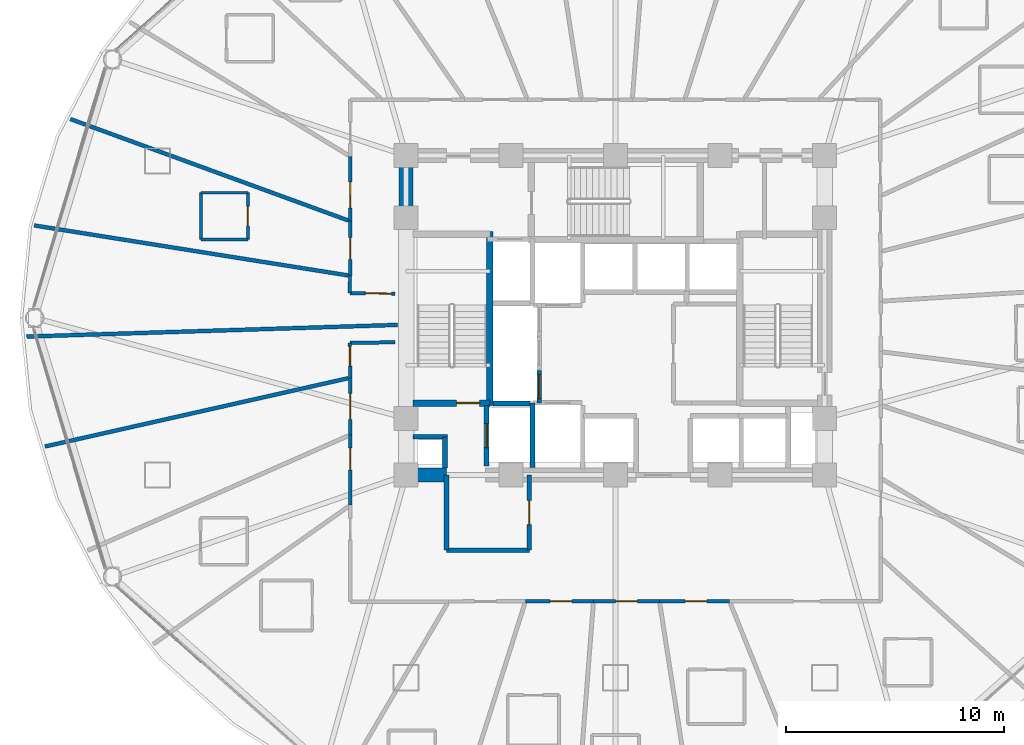
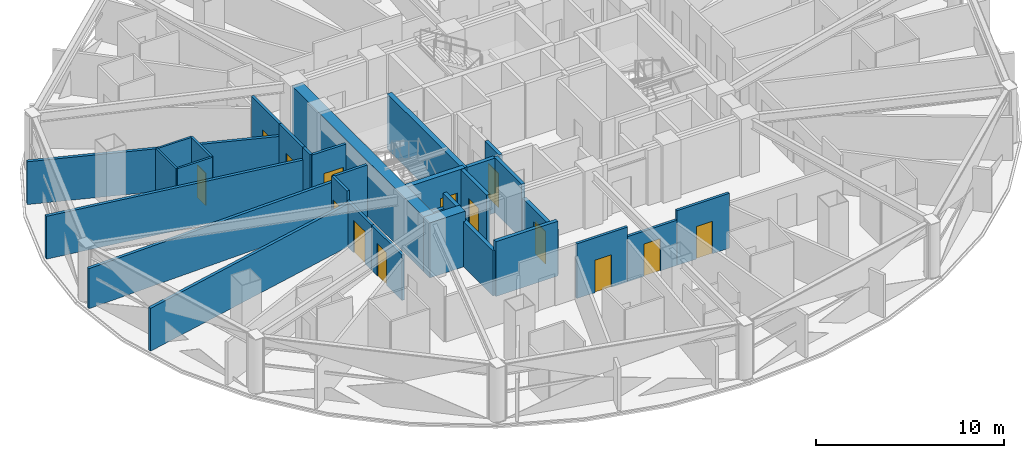
# One storey, part 24 of 32: 32 walls, 14 doors, 14 openings.
"""IFC4 building model written with IfcOpenShell, lengths in metres."""

from ifc_helpers import new_model, si_unit, direction, frame, frame_2d, origin, place, context, subcontext, project, spatial, rectangle, extrude, material, layer, layer_set, type_object, element, fill, save


model = new_model("IFC4")

# Units and contexts
model_context = context("Model", 3, precision=1e-05, world=origin(), true_north=direction((0.0, 1.0)))
body_context = subcontext(model_context, "Body", "Model", "MODEL_VIEW")
ifc_project = project(units=[si_unit("LENGTHUNIT", "METRE"), si_unit("AREAUNIT", "SQUARE_METRE"), si_unit("VOLUMEUNIT", "CUBIC_METRE"), si_unit("PLANEANGLEUNIT", "RADIAN"), si_unit("MASSUNIT", "GRAM", prefix="KILO")], contexts=[model_context])

# Site, building, storey
site_placement = place(None, origin())
site = spatial("IfcSite", under=ifc_project, at=site_placement, CompositionType="ELEMENT")
building_placement = place(site_placement, origin())
building = spatial("IfcBuilding", under=site, at=building_placement, Name="Vantalir Tower", CompositionType="ELEMENT")
storey_placement = place(building_placement, frame((0.0, 0.0, 45.75)))
storey = spatial("IfcBuildingStorey", under=building, at=storey_placement, Name="L10", CompositionType="ELEMENT", Elevation=45.75)

# Walls
ifc_material_1 = material(Name="Moisture-resistant en-suite partition", Category="gypsum")
ifc_layer_1 = layer(ifc_material_1, 0.125)
ifc_layer_set_1 = layer_set([ifc_layer_1], Name="Moisture-resistant en-suite partition")
wall_type_1 = type_object("IfcWallType", Name="WL-BATH-125", PredefinedType="PARTITIONING", material=ifc_layer_set_1)
for number, where, z_axis, x_axis, name in (
    (1, (12.491943359375, 28.596923828125, 0.0), (0.0, 0.0, 1.0), (1.0, 0.0, 0.0), "L10 En-suite 14 South Wall"),
    (2, (12.491943359375, 30.7470703125, 0.0), (0.0, 0.0, 1.0), (1.0, 0.0, 0.0), "L10 En-suite 14 North Wall"),
    (3, (12.491943359375, 28.596923828125, 0.0), (0.0, 0.0, 1.0), (0.0, 1.0, 0.0), "L10 En-suite 14 West Wall"),
):
    element("IfcWall", number, at=place(storey_placement, frame(where, z_axis=z_axis, x_axis=x_axis)), inside=storey, type_object=wall_type_1, Name=name, PredefinedType="PARTITIONING", context=body_context, shape_type="SweptSolid", body=[
        extrude(rectangle(XDim=2.150146484375, YDim=0.125, at=frame_2d((1.0751953125, 0.0))), origin(), (0.0, 0.0, 1.0), 3.550048828125),
    ])

# Wall, opening, door
wall_1_placement = place(storey_placement, frame((14.64208984375, 28.596923828125, 0.0), z_axis=(0.0, 0.0, 1.0), x_axis=(0.0, 1.0, 0.0)))
wall_1 = element("IfcWall", 4, at=wall_1_placement, inside=storey, type_object=wall_type_1, Name="L10 En-suite 14 East Wall", PredefinedType="PARTITIONING", context=body_context, shape_type="SweptSolid", body=[
    extrude(rectangle(XDim=2.150146484375, YDim=0.125, at=frame_2d((1.0751953125, 0.0))), origin(), (0.0, 0.0, 1.0), 3.550048828125),
])
opening_1_placement = place(wall_1_placement, frame((0.625, 0.0, 0.0)))
opening_1 = element("IfcOpeningElement", 5, at=opening_1_placement, cuts=wall_1, Name="Opening D-WC", PredefinedType="OPENING", context=body_context, shape_type="SweptSolid", body=[
    extrude(rectangle(XDim=0.89990234375, YDim=2.10009765625, at=frame_2d((0.449951171875, 1.050048828125))), frame((0.0, 0.072509765625, 0.0), z_axis=(0.0, -1.0, 0.0), x_axis=(1.0, 0.0, 0.0)), (0.0, 0.0, 1.0), 0.14501953125),
])
ifc_material_2 = material(Name="Moisture-resistant hardwood door", Category="wood")
door_type_1 = type_object("IfcDoorType", Name="DR-ENSUITE-900", OperationType="NOTDEFINED", PredefinedType="DOOR", material=ifc_material_2)
door_1_placement = place(opening_1_placement, origin())
door_1 = element("IfcDoor", 6, at=door_1_placement, inside=storey, type_object=door_type_1, Name="L10 En-suite 14 Door", OperationType="SINGLE_SWING_LEFT", OverallHeight=2.10009765625, OverallWidth=0.89990234375, PredefinedType="DOOR", context=body_context, shape_type="SweptSolid", body=[
    extrude(rectangle(XDim=0.89990234375, YDim=2.10009765625, at=frame_2d((0.449951171875, 1.050048828125))), frame((0.0, 0.02490234375, 0.0), z_axis=(0.0, -1.0, 0.0), x_axis=(1.0, 0.0, 0.0)), (0.0, 0.0, 1.0), 0.050048828125),
])
fill(opening_1, door_1)

# Walls
ifc_material_3 = material(Name="Concrete C60/75", Category="concrete")
ifc_layer_2 = layer(ifc_material_3, 0.64990234375)
ifc_layer_set_2 = layer_set([ifc_layer_2], Name="Concrete C60/75")
wall_type_2 = type_object("IfcWallType", Name="WL-CORE-650", PredefinedType="SHEAR", material=ifc_layer_set_2)
wall_2_placement = place(storey_placement, frame((21.574951171875, 17.800048828125, 0.0), z_axis=(0.0, 0.0, 1.0), x_axis=(1.0, 0.0, 0.0)))
element("IfcWall", 7, at=wall_2_placement, inside=storey, type_object=wall_type_2, Name="L10 Core Shear Wall South-West", PredefinedType="SHEAR", context=body_context, shape_type="SweptSolid", body=[
    extrude(rectangle(XDim=2.175048828125, YDim=0.64990234375, at=frame_2d((1.08740234375, 0.0))), origin(), (0.0, 0.0, 1.0), 3.570068359375),
])
wall_3_placement = place(storey_placement, frame((21.89990234375, 18.125, 0.0), z_axis=(0.0, 0.0, 1.0), x_axis=(0.0, 1.0, 0.0)))
element("IfcWall", 8, at=wall_3_placement, inside=storey, type_object=wall_type_2, Name="L10 Core Shear Wall West", PredefinedType="SHEAR", context=body_context, shape_type="SweptSolid", body=[
    extrude(rectangle(XDim=14.0, YDim=0.64990234375, at=frame_2d((7.0, 0.0))), origin(), (0.0, 0.0, 1.0), 3.570068359375),
])

# Wall, opening, door
ifc_material_4 = material(Name="Fire-rated hotel corridor acoustic partition", Category="gypsum")
ifc_layer_3 = layer(ifc_material_4, 0.159912109375)
ifc_layer_set_3 = layer_set([ifc_layer_3], Name="Fire-rated hotel corridor acoustic partition")
wall_type_3 = type_object("IfcWallType", Name="WL-CORR-160", PredefinedType="PARTITIONING", material=ifc_layer_set_3)
wall_4_placement = place(storey_placement, frame((21.39501953125, 26.117919921875, 0.0), z_axis=(0.0, 0.0, 1.0), x_axis=(-0.999931972005, 0.011664105718, 0.0)))
wall_4 = element("IfcWall", 9, at=wall_4_placement, inside=storey, type_object=wall_type_3, Name="L10 Corridor Partition 01", PredefinedType="PARTITIONING", context=body_context, shape_type="SweptSolid", body=[
    extrude(rectangle(XDim=2.072265625, YDim=0.159912109375, at=frame_2d((1.0361328125, 0.0))), origin(), (0.0, 0.0, 1.0), 3.550048828125),
])
opening_2_placement = place(wall_4_placement, frame((0.159912109375, 0.0, 0.0)))
opening_2 = element("IfcOpeningElement", 10, at=opening_2_placement, cuts=wall_4, Name="Opening D-STE", PredefinedType="OPENING", context=body_context, shape_type="SweptSolid", body=[
    extrude(rectangle(XDim=1.199951171875, YDim=2.10009765625, at=frame_2d((0.60009765625, 1.050048828125))), frame((0.0, 0.08984375, 0.0), z_axis=(0.0, -1.0, 0.0), x_axis=(1.0, 0.0, 0.0)), (0.0, 0.0, 1.0), 0.179931640625),
])
ifc_material_5 = material(Name="Solid-core teak veneer suite entrance door", Category="wood")
door_type_2 = type_object("IfcDoorType", Name="DR-SUITE-ENTRY-1200", OperationType="NOTDEFINED", PredefinedType="DOOR", material=ifc_material_5)
door_2_placement = place(opening_2_placement, origin())
door_2 = element("IfcDoor", 11, at=door_2_placement, inside=storey, type_object=door_type_2, Name="L10 Club Reading Lounge 15 Door", OperationType="SINGLE_SWING_RIGHT", OverallHeight=2.10009765625, OverallWidth=1.199951171875, PredefinedType="DOOR", context=body_context, shape_type="SweptSolid", body=[
    extrude(rectangle(XDim=1.199951171875, YDim=2.10009765625, at=frame_2d((0.60009765625, 1.050048828125))), frame((0.0, 0.02490234375, 0.0), z_axis=(0.0, -1.0, 0.0), x_axis=(1.0, 0.0, 0.0)), (0.0, 0.0, 1.0), 0.050048828125),
])
fill(opening_2, door_2)

# Wall
wall_5_placement = place(storey_placement, frame((19.322998046875, 26.14208984375, 0.0), z_axis=(0.0, 0.0, 1.0), x_axis=(0.00245097303, 0.999996996361, 0.0)))
element("IfcWall", 12, at=wall_5_placement, inside=storey, type_object=wall_type_3, Name="L10 Corridor Partition 02", PredefinedType="PARTITIONING", context=body_context, shape_type="SweptSolid", body=[
    extrude(rectangle(XDim=0.796875, YDim=0.159912109375, at=frame_2d((0.3984375, 0.0))), origin(), (0.0, 0.0, 1.0), 3.550048828125),
])

# Wall, opening, door
wall_6_placement = place(storey_placement, frame((19.324951171875, 26.93896484375, 0.0), z_axis=(0.0, 0.0, 1.0), x_axis=(0.002438541325, 0.999997026754, 0.0)))
wall_6 = element("IfcWall", 13, at=wall_6_placement, inside=storey, type_object=wall_type_3, Name="L10 Corridor Partition 03", PredefinedType="PARTITIONING", context=body_context, shape_type="SweptSolid", body=[
    extrude(rectangle(XDim=2.5029296875, YDim=0.159912109375, at=frame_2d((1.25146484375, 0.0))), origin(), (0.0, 0.0, 1.0), 3.550048828125),
])
opening_3_placement = place(wall_6_placement, frame((0.751953125, 0.0, 0.0)))
opening_3 = element("IfcOpeningElement", 14, at=opening_3_placement, cuts=wall_6, Name="Opening D-GUEST", PredefinedType="OPENING", context=body_context, shape_type="SweptSolid", body=[
    extrude(rectangle(XDim=1.0, YDim=2.10009765625, at=frame_2d((0.5, 1.050048828125))), frame((0.0, 0.08984375, 0.0), z_axis=(0.0, -1.0, 0.0), x_axis=(1.0, 0.0, 0.0)), (0.0, 0.0, 1.0), 0.179931640625),
])
ifc_material_6 = material(Name="Solid-core teak veneer acoustic fire door", Category="wood")
door_type_3 = type_object("IfcDoorType", Name="DR-GUEST-ENTRY-1000", OperationType="NOTDEFINED", PredefinedType="DOOR", material=ifc_material_6)
door_3_placement = place(opening_3_placement, origin())
door_3 = element("IfcDoor", 15, at=door_3_placement, inside=storey, type_object=door_type_3, Name="L10 Deluxe King Hotel Room 14 Door", OperationType="SINGLE_SWING_LEFT", OverallHeight=2.10009765625, OverallWidth=1.0, PredefinedType="DOOR", context=body_context, shape_type="SweptSolid", body=[
    extrude(rectangle(XDim=1.0, YDim=2.10009765625, at=frame_2d((0.5, 1.050048828125))), frame((0.0, 0.02490234375, 0.0), z_axis=(0.0, -1.0, 0.0), x_axis=(1.0, 0.0, 0.0)), (0.0, 0.0, 1.0), 0.050048828125),
])
fill(opening_3, door_3)

wall_7_placement = place(storey_placement, frame((19.3310546875, 29.44189453125, 0.0), z_axis=(0.0, 0.0, 1.0), x_axis=(0.002301489877, 0.999997351569, 0.0)))
wall_7 = element("IfcWall", 16, at=wall_7_placement, inside=storey, type_object=wall_type_3, Name="L10 Corridor Partition 04", PredefinedType="PARTITIONING", context=body_context, shape_type="SweptSolid", body=[
    extrude(rectangle(XDim=2.97021484375, YDim=0.159912109375, at=frame_2d((1.485107421875, 0.0))), origin(), (0.0, 0.0, 1.0), 3.550048828125),
])
opening_4_placement = place(wall_7_placement, frame((0.594970703125, 0.0, 0.0)))
opening_4 = element("IfcOpeningElement", 17, at=opening_4_placement, cuts=wall_7, Name="Opening D-STE", PredefinedType="OPENING", context=body_context, shape_type="SweptSolid", body=[
    extrude(rectangle(XDim=1.199951171875, YDim=2.10009765625, at=frame_2d((0.60009765625, 1.050048828125))), frame((0.0, 0.08984375, 0.0), z_axis=(0.0, -1.0, 0.0), x_axis=(1.0, 0.0, 0.0)), (0.0, 0.0, 1.0), 0.179931640625),
])
door_4_placement = place(opening_4_placement, origin())
door_4 = element("IfcDoor", 18, at=door_4_placement, inside=storey, type_object=door_type_2, Name="L10 Club Reading Lounge 13 Door", OperationType="SINGLE_SWING_RIGHT", OverallHeight=2.10009765625, OverallWidth=1.199951171875, PredefinedType="DOOR", context=body_context, shape_type="SweptSolid", body=[
    extrude(rectangle(XDim=1.199951171875, YDim=2.10009765625, at=frame_2d((0.60009765625, 1.050048828125))), frame((0.0, 0.02490234375, 0.0), z_axis=(0.0, -1.0, 0.0), x_axis=(1.0, 0.0, 0.0)), (0.0, 0.0, 1.0), 0.050048828125),
])
fill(opening_4, door_4)

wall_8_placement = place(storey_placement, frame((36.735107421875, 12.00390625, 0.0), z_axis=(0.0, 0.0, 1.0), x_axis=(-0.999999815255, -0.000607856434, 0.0)))
wall_8 = element("IfcWall", 19, at=wall_8_placement, inside=storey, type_object=wall_type_3, Name="L10 Corridor Partition 25", PredefinedType="PARTITIONING", context=body_context, shape_type="SweptSolid", body=[
    extrude(rectangle(XDim=3.213134765625, YDim=0.159912109375, at=frame_2d((1.6064453125, 0.0))), origin(), (0.0, 0.0, 1.0), 3.550048828125),
])
opening_5_placement = place(wall_8_placement, frame((1.033935546875, 0.0, 0.0)))
opening_5 = element("IfcOpeningElement", 20, at=opening_5_placement, cuts=wall_8, Name="Opening D-GUEST", PredefinedType="OPENING", context=body_context, shape_type="SweptSolid", body=[
    extrude(rectangle(XDim=1.0, YDim=2.10009765625, at=frame_2d((0.5, 1.050048828125))), frame((0.0, 0.08984375, 0.0), z_axis=(0.0, -1.0, 0.0), x_axis=(1.0, 0.0, 0.0)), (0.0, 0.0, 1.0), 0.179931640625),
])
door_5_placement = place(opening_5_placement, origin())
door_5 = element("IfcDoor", 21, at=door_5_placement, inside=storey, type_object=door_type_3, Name="L10 Twin Queen Hotel Room 23 Door", OperationType="SINGLE_SWING_RIGHT", OverallHeight=2.10009765625, OverallWidth=1.0, PredefinedType="DOOR", context=body_context, shape_type="SweptSolid", body=[
    extrude(rectangle(XDim=1.0, YDim=2.10009765625, at=frame_2d((0.5, 1.050048828125))), frame((0.0, 0.02490234375, 0.0), z_axis=(0.0, -1.0, 0.0), x_axis=(1.0, 0.0, 0.0)), (0.0, 0.0, 1.0), 0.050048828125),
])
fill(opening_5, door_5)

wall_9_placement = place(storey_placement, frame((33.52197265625, 12.001953125, 0.0), z_axis=(0.0, 0.0, 1.0), x_axis=(-0.999999791984, -0.000645005106, 0.0)))
wall_9 = element("IfcWall", 22, at=wall_9_placement, inside=storey, type_object=wall_type_3, Name="L10 Corridor Partition 26", PredefinedType="PARTITIONING", context=body_context, shape_type="SweptSolid", body=[
    extrude(rectangle(XDim=3.028076171875, YDim=0.159912109375, at=frame_2d((1.51416015625, 0.0))), origin(), (0.0, 0.0, 1.0), 2.927978515625),
])
opening_6_placement = place(wall_9_placement, frame((1.013916015625, 0.0, 0.0)))
opening_6 = element("IfcOpeningElement", 23, at=opening_6_placement, cuts=wall_9, Name="Opening D-GUEST", PredefinedType="OPENING", context=body_context, shape_type="SweptSolid", body=[
    extrude(rectangle(XDim=1.0, YDim=2.10009765625, at=frame_2d((0.5, 1.050048828125))), frame((0.0, 0.08984375, 0.0), z_axis=(0.0, -1.0, 0.0), x_axis=(1.0, 0.0, 0.0)), (0.0, 0.0, 1.0), 0.179931640625),
])
door_6_placement = place(opening_6_placement, origin())
door_6 = element("IfcDoor", 24, at=door_6_placement, inside=storey, type_object=door_type_3, Name="L10 Deluxe King Hotel Room 22 Door", OperationType="SINGLE_SWING_LEFT", OverallHeight=2.10009765625, OverallWidth=1.0, PredefinedType="DOOR", context=body_context, shape_type="SweptSolid", body=[
    extrude(rectangle(XDim=1.0, YDim=2.10009765625, at=frame_2d((0.5, 1.050048828125))), frame((0.0, 0.02490234375, 0.0), z_axis=(0.0, -1.0, 0.0), x_axis=(1.0, 0.0, 0.0)), (0.0, 0.0, 1.0), 0.050048828125),
])
fill(opening_6, door_6)

wall_10_placement = place(storey_placement, frame((30.493896484375, 12.0, 0.0), z_axis=(0.0, 0.0, 1.0), x_axis=(-0.999999804045, -0.000626026953, 0.0)))
wall_10 = element("IfcWall", 25, at=wall_10_placement, inside=storey, type_object=wall_type_3, Name="L10 Corridor Partition 27", PredefinedType="PARTITIONING", context=body_context, shape_type="SweptSolid", body=[
    extrude(rectangle(XDim=3.119873046875, YDim=0.159912109375, at=frame_2d((1.56005859375, 0.0))), origin(), (0.0, 0.0, 1.0), 3.550048828125),
])
opening_7_placement = place(wall_10_placement, frame((0.990966796875, 0.0, 0.0)))
opening_7 = element("IfcOpeningElement", 26, at=opening_7_placement, cuts=wall_10, Name="Opening D-GUEST", PredefinedType="OPENING", context=body_context, shape_type="SweptSolid", body=[
    extrude(rectangle(XDim=1.0, YDim=2.10009765625, at=frame_2d((0.5, 1.050048828125))), frame((0.0, 0.08984375, 0.0), z_axis=(0.0, -1.0, 0.0), x_axis=(1.0, 0.0, 0.0)), (0.0, 0.0, 1.0), 0.179931640625),
])
door_7_placement = place(opening_7_placement, origin())
door_7 = element("IfcDoor", 27, at=door_7_placement, inside=storey, type_object=door_type_3, Name="L10 Deluxe King Hotel Room 21 Door", OperationType="SINGLE_SWING_RIGHT", OverallHeight=2.10009765625, OverallWidth=1.0, PredefinedType="DOOR", context=body_context, shape_type="SweptSolid", body=[
    extrude(rectangle(XDim=1.0, YDim=2.10009765625, at=frame_2d((0.5, 1.050048828125))), frame((0.0, 0.02490234375, 0.0), z_axis=(0.0, -1.0, 0.0), x_axis=(1.0, 0.0, 0.0)), (0.0, 0.0, 1.0), 0.050048828125),
])
fill(opening_7, door_7)

wall_11_placement = place(storey_placement, frame((19.3359375, 16.4130859375, 0.0), z_axis=(0.0, 0.0, 1.0), x_axis=(-0.001514576074, 0.999998853029, 0.0)))
wall_11 = element("IfcWall", 28, at=wall_11_placement, inside=storey, type_object=wall_type_3, Name="L10 Corridor Partition 31", PredefinedType="PARTITIONING", context=body_context, shape_type="SweptSolid", body=[
    extrude(rectangle(XDim=3.223876953125, YDim=0.159912109375, at=frame_2d((1.61181640625, 0.0))), origin(), (0.0, 0.0, 1.0), 2.927978515625),
])
opening_8_placement = place(wall_11_placement, frame((1.625, 0.0, 0.0)))
opening_8 = element("IfcOpeningElement", 29, at=opening_8_placement, cuts=wall_11, Name="Opening D-GUEST", PredefinedType="OPENING", context=body_context, shape_type="SweptSolid", body=[
    extrude(rectangle(XDim=1.0, YDim=2.10009765625, at=frame_2d((0.5, 1.050048828125))), frame((0.0, 0.08984375, 0.0), z_axis=(0.0, -1.0, 0.0), x_axis=(1.0, 0.0, 0.0)), (0.0, 0.0, 1.0), 0.179931640625),
])
door_8_placement = place(opening_8_placement, origin())
door_8 = element("IfcDoor", 30, at=door_8_placement, inside=storey, type_object=door_type_3, Name="L10 Deluxe King Hotel Room 18 Door", OperationType="SINGLE_SWING_LEFT", OverallHeight=2.10009765625, OverallWidth=1.0, PredefinedType="DOOR", context=body_context, shape_type="SweptSolid", body=[
    extrude(rectangle(XDim=1.0, YDim=2.10009765625, at=frame_2d((0.5, 1.050048828125))), frame((0.0, 0.02490234375, 0.0), z_axis=(0.0, -1.0, 0.0), x_axis=(1.0, 0.0, 0.0)), (0.0, 0.0, 1.0), 0.050048828125),
])
fill(opening_8, door_8)

wall_12_placement = place(storey_placement, frame((19.3310546875, 19.636962890625, 0.0), z_axis=(0.0, 0.0, 1.0), x_axis=(-0.001956761069, 0.999998085541, 0.0)))
wall_12 = element("IfcWall", 31, at=wall_12_placement, inside=storey, type_object=wall_type_3, Name="L10 Corridor Partition 32", PredefinedType="PARTITIONING", context=body_context, shape_type="SweptSolid", body=[
    extrude(rectangle(XDim=2.6201171875, YDim=0.159912109375, at=frame_2d((1.31005859375, 0.0))), origin(), (0.0, 0.0, 1.0), 2.927978515625),
])
opening_9_placement = place(wall_12_placement, frame((0.7099609375, 0.0, 0.0)))
opening_9 = element("IfcOpeningElement", 32, at=opening_9_placement, cuts=wall_12, Name="Opening D-STE", PredefinedType="OPENING", context=body_context, shape_type="SweptSolid", body=[
    extrude(rectangle(XDim=1.199951171875, YDim=2.10009765625, at=frame_2d((0.60009765625, 1.050048828125))), frame((0.0, 0.08984375, 0.0), z_axis=(0.0, -1.0, 0.0), x_axis=(1.0, 0.0, 0.0)), (0.0, 0.0, 1.0), 0.179931640625),
])
door_9_placement = place(opening_9_placement, origin())
door_9 = element("IfcDoor", 33, at=door_9_placement, inside=storey, type_object=door_type_2, Name="L10 Club Reading Lounge 17 Door", OperationType="SINGLE_SWING_RIGHT", OverallHeight=2.10009765625, OverallWidth=1.199951171875, PredefinedType="DOOR", context=body_context, shape_type="SweptSolid", body=[
    extrude(rectangle(XDim=1.199951171875, YDim=2.10009765625, at=frame_2d((0.60009765625, 1.050048828125))), frame((0.0, 0.02490234375, 0.0), z_axis=(0.0, -1.0, 0.0), x_axis=(1.0, 0.0, 0.0)), (0.0, 0.0, 1.0), 0.050048828125),
])
fill(opening_9, door_9)

wall_13_placement = place(storey_placement, frame((19.325927734375, 22.257080078125, 0.0), z_axis=(0.0, 0.0, 1.0), x_axis=(-0.001830102166, 0.999998325362, 0.0)))
wall_13 = element("IfcWall", 34, at=wall_13_placement, inside=storey, type_object=wall_type_3, Name="L10 Corridor Partition 33", PredefinedType="PARTITIONING", context=body_context, shape_type="SweptSolid", body=[
    extrude(rectangle(XDim=1.600830078125, YDim=0.159912109375, at=frame_2d((0.80029296875, 0.0))), origin(), (0.0, 0.0, 1.0), 3.550048828125),
])
opening_10_placement = place(wall_13_placement, frame((0.541015625, 0.0, 0.0)))
opening_10 = element("IfcOpeningElement", 35, at=opening_10_placement, cuts=wall_13, Name="Opening D-WC", PredefinedType="OPENING", context=body_context, shape_type="SweptSolid", body=[
    extrude(rectangle(XDim=0.89990234375, YDim=2.10009765625, at=frame_2d((0.449951171875, 1.050048828125))), frame((0.0, 0.08984375, 0.0), z_axis=(0.0, -1.0, 0.0), x_axis=(1.0, 0.0, 0.0)), (0.0, 0.0, 1.0), 0.179931640625),
])
door_10_placement = place(opening_10_placement, origin())
door_10 = element("IfcDoor", 36, at=door_10_placement, inside=storey, type_object=door_type_1, Name="L10 Executive Sky Boardroom 16 Door", OperationType="SINGLE_SWING_LEFT", OverallHeight=2.10009765625, OverallWidth=0.89990234375, PredefinedType="DOOR", context=body_context, shape_type="SweptSolid", body=[
    extrude(rectangle(XDim=0.89990234375, YDim=2.10009765625, at=frame_2d((0.449951171875, 1.050048828125))), frame((0.0, 0.02490234375, 0.0), z_axis=(0.0, -1.0, 0.0), x_axis=(1.0, 0.0, 0.0)), (0.0, 0.0, 1.0), 0.050048828125),
])
fill(opening_10, door_10)

# Walls
wall_14_placement = place(storey_placement, frame((19.322998046875, 23.85791015625, 0.0), z_axis=(0.0, 0.0, 1.0), x_axis=(0.999901714038, 0.014020066451, 0.0)))
element("IfcWall", 37, at=wall_14_placement, inside=storey, type_object=wall_type_3, Name="L10 Corridor Partition 34", PredefinedType="PARTITIONING", context=body_context, shape_type="SweptSolid", body=[
    extrude(rectangle(XDim=2.072265625, YDim=0.159912109375, at=frame_2d((1.0361328125, 0.0))), origin(), (0.0, 0.0, 1.0), 3.550048828125),
])
ifc_material_7 = material(Name="Concrete blockwork with fireboard lining", Category="masonry")
ifc_layer_4 = layer(ifc_material_7, 0.219970703125)
ifc_layer_set_4 = layer_set([ifc_layer_4], Name="Concrete blockwork with fireboard lining")
wall_type_4 = type_object("IfcWallType", Name="WL-FFL-220", PredefinedType="PARTITIONING", material=ifc_layer_set_4)
wall_15_placement = place(storey_placement, frame((23.679931640625, 18.125, 0.0), z_axis=(0.0, 0.0, 1.0), x_axis=(0.0, 1.0, 0.0)))
element("IfcWall", 38, at=wall_15_placement, inside=storey, type_object=wall_type_4, Name="L10 West MEP Riser Wall E", PredefinedType="PARTITIONING", context=body_context, shape_type="SweptSolid", body=[
    extrude(rectangle(XDim=1.425048828125, YDim=0.219970703125, at=frame_2d((0.71240234375, 0.0))), origin(), (0.0, 0.0, 1.0), 3.550048828125),
])
wall_16_placement = place(storey_placement, frame((22.22509765625, 19.550048828125, 0.0), z_axis=(0.0, 0.0, 1.0), x_axis=(1.0, 0.0, 0.0)))
element("IfcWall", 39, at=wall_16_placement, inside=storey, type_object=wall_type_4, Name="L10 West MEP Riser Wall N", PredefinedType="PARTITIONING", context=body_context, shape_type="SweptSolid", body=[
    extrude(rectangle(XDim=1.56494140625, YDim=0.219970703125, at=frame_2d((0.782470703125, 0.0))), origin(), (0.0, 0.0, 1.0), 2.594970703125),
])

# Wall, opening, door
wall_17_placement = place(storey_placement, frame((25.590087890625, 18.219970703125, 0.0), z_axis=(0.0, 0.0, 1.0), x_axis=(0.0, 1.0, 0.0)))
wall_17 = element("IfcWall", 40, at=wall_17_placement, inside=storey, type_object=wall_type_4, Name="L10 Lift FL1 Shaft Front Wall", PredefinedType="PARTITIONING", context=body_context, shape_type="SweptSolid", body=[
    extrude(rectangle(XDim=2.760009765625, YDim=0.219970703125, at=frame_2d((1.3798828125, 0.0))), origin(), (0.0, 0.0, 1.0), 3.550048828125),
])
opening_11_placement = place(wall_17_placement, frame((0.830078125, 0.0, 0.0)))
opening_11 = element("IfcOpeningElement", 41, at=opening_11_placement, cuts=wall_17, Name="Opening LD-FL1", PredefinedType="OPENING", context=body_context, shape_type="SweptSolid", body=[
    extrude(rectangle(XDim=1.10009765625, YDim=2.199951171875, at=frame_2d((0.550048828125, 1.10009765625))), frame((0.0, 0.119873046875, 0.0), z_axis=(0.0, -1.0, 0.0), x_axis=(1.0, 0.0, 0.0)), (0.0, 0.0, 1.0), 0.239990234375),
])
ifc_material_8 = material(Name="Brushed stainless-steel sliding lift landing door", Category="steel")
door_type_4 = type_object("IfcDoorType", Name="DR-LIFT-LANDING-1100", OperationType="DOUBLE_DOOR_SLIDING", PredefinedType="DOOR", material=ifc_material_8)
door_11_placement = place(opening_11_placement, origin())
door_11 = element("IfcDoor", 42, at=door_11_placement, inside=storey, type_object=door_type_4, Name="L10 Lift Landing Door FL1", OperationType="DOUBLE_DOOR_SLIDING", OverallHeight=2.199951171875, OverallWidth=1.10009765625, PredefinedType="DOOR", context=body_context, shape_type="SweptSolid", body=[
    extrude(rectangle(XDim=1.10009765625, YDim=2.199951171875, at=frame_2d((0.550048828125, 1.10009765625))), frame((0.0, 0.02490234375, 0.0), z_axis=(0.0, -1.0, 0.0), x_axis=(1.0, 0.0, 0.0)), (0.0, 0.0, 1.0), 0.050048828125),
])
fill(opening_11, door_11)

wall_18_placement = place(storey_placement, frame((28.010009765625, 21.10009765625, 0.0), z_axis=(0.0, 0.0, 1.0), x_axis=(0.0, 1.0, 0.0)))
wall_18 = element("IfcWall", 43, at=wall_18_placement, inside=storey, type_object=wall_type_4, Name="L10 Lift PL-L1 Shaft Front Wall", PredefinedType="PARTITIONING", context=body_context, shape_type="SweptSolid", body=[
    extrude(rectangle(XDim=1.5, YDim=0.219970703125, at=frame_2d((0.75, 0.0))), origin(), (0.0, 0.0, 1.0), 3.550048828125),
])
opening_12_placement = place(wall_18_placement, frame((0.199951171875, 0.0, 0.0)))
opening_12 = element("IfcOpeningElement", 44, at=opening_12_placement, cuts=wall_18, Name="Opening LD-PL-L1", PredefinedType="OPENING", context=body_context, shape_type="SweptSolid", body=[
    extrude(rectangle(XDim=1.10009765625, YDim=2.199951171875, at=frame_2d((0.550048828125, 1.10009765625))), frame((0.0, 0.119873046875, 0.0), z_axis=(0.0, -1.0, 0.0), x_axis=(1.0, 0.0, 0.0)), (0.0, 0.0, 1.0), 0.239990234375),
])
door_12_placement = place(opening_12_placement, frame((1.10009765625, 0.0, 0.0), z_axis=(0.0, 0.0, 1.0), x_axis=(-1.0, 0.0, 0.0)))
door_12 = element("IfcDoor", 45, at=door_12_placement, inside=storey, type_object=door_type_4, Name="L10 Lift Landing Door PL-L1", OperationType="DOUBLE_DOOR_SLIDING", OverallHeight=2.199951171875, OverallWidth=1.10009765625, PredefinedType="DOOR", context=body_context, shape_type="SweptSolid", body=[
    extrude(rectangle(XDim=1.10009765625, YDim=2.199951171875, at=frame_2d((0.550048828125, 1.10009765625))), frame((0.0, 0.02490234375, 0.0), z_axis=(0.0, -1.0, 0.0), x_axis=(1.0, 0.0, 0.0)), (0.0, 0.0, 1.0), 0.050048828125),
])
fill(opening_12, door_12)

# Walls
wall_19_placement = place(storey_placement, frame((27.699951171875, 18.14990234375, 0.0), z_axis=(0.0, 0.0, 1.0), x_axis=(0.0, 1.0, 0.0)))
element("IfcWall", 46, at=wall_19_placement, inside=storey, type_object=wall_type_4, Name="L10 Fire Lift FL1 Dividing Wall", PredefinedType="PARTITIONING", context=body_context, shape_type="SweptSolid", body=[
    extrude(rectangle(XDim=2.9501953125, YDim=0.219970703125, at=frame_2d((1.47509765625, 0.0))), origin(), (0.0, 0.0, 1.0), 3.550048828125),
])
wall_20_placement = place(storey_placement, frame((25.8798828125, 21.080078125, 0.0), z_axis=(0.0, 0.0, 1.0), x_axis=(1.0, 0.0, 0.0)))
element("IfcWall", 47, at=wall_20_placement, inside=storey, type_object=wall_type_4, Name="L10 Low-Rise Bank South Wall", PredefinedType="PARTITIONING", context=body_context, shape_type="SweptSolid", body=[
    extrude(rectangle(XDim=1.7001953125, YDim=0.219970703125, at=frame_2d((0.85009765625, 0.0))), origin(), (0.0, 0.0, 1.0), 3.550048828125),
])
wall_21_placement = place(storey_placement, frame((23.75, 14.35009765625, 0.0), z_axis=(0.0, 0.0, 1.0), x_axis=(0.0, 1.0, 0.0)))
element("IfcWall", 48, at=wall_21_placement, inside=storey, type_object=wall_type_4, Name="L10 Firefighting Lobby West Outer W", PredefinedType="PARTITIONING", context=body_context, shape_type="SweptSolid", body=[
    extrude(rectangle(XDim=3.449951171875, YDim=0.219970703125, at=frame_2d((1.72509765625, 0.0))), origin(), (0.0, 0.0, 1.0), 2.927978515625),
])
wall_22_placement = place(storey_placement, frame((23.75, 14.35009765625, 0.0), z_axis=(0.0, 0.0, 1.0), x_axis=(1.0, 0.0, 0.0)))
element("IfcWall", 49, at=wall_22_placement, inside=storey, type_object=wall_type_4, Name="L10 Firefighting Lobby West South Wall", PredefinedType="PARTITIONING", context=body_context, shape_type="SweptSolid", body=[
    extrude(rectangle(XDim=3.800048828125, YDim=0.219970703125, at=frame_2d((1.89990234375, 0.0))), origin(), (0.0, 0.0, 1.0), 3.550048828125),
])

# Wall, opening, door
wall_23_placement = place(storey_placement, frame((27.550048828125, 14.35009765625, 0.0), z_axis=(0.0, 0.0, 1.0), x_axis=(0.0, 1.0, 0.0)))
wall_23 = element("IfcWall", 50, at=wall_23_placement, inside=storey, type_object=wall_type_4, Name="L10 Firefighting Lobby West East Wall", PredefinedType="PARTITIONING", context=body_context, shape_type="SweptSolid", body=[
    extrude(rectangle(XDim=3.449951171875, YDim=0.219970703125, at=frame_2d((1.72509765625, 0.0))), origin(), (0.0, 0.0, 1.0), 2.927978515625),
])
opening_13_placement = place(wall_23_placement, frame((1.175048828125, 0.0, 0.0)))
opening_13 = element("IfcOpeningElement", 51, at=opening_13_placement, cuts=wall_23, Name="Opening D-FFL", PredefinedType="OPENING", context=body_context, shape_type="SweptSolid", body=[
    extrude(rectangle(XDim=1.10009765625, YDim=2.10009765625, at=frame_2d((0.550048828125, 1.050048828125))), frame((0.0, 0.119873046875, 0.0), z_axis=(0.0, -1.0, 0.0), x_axis=(1.0, 0.0, 0.0)), (0.0, 0.0, 1.0), 0.239990234375),
])
ifc_material_9 = material(Name="Fire-rated acoustic steel door", Category="steel")
door_type_5 = type_object("IfcDoorType", Name="DR-FIRE-LOBBY-1100", OperationType="NOTDEFINED", PredefinedType="DOOR", material=ifc_material_9)
door_13_placement = place(opening_13_placement, origin())
door_13 = element("IfcDoor", 52, at=door_13_placement, inside=storey, type_object=door_type_5, Name="L10 Firefighting Lobby West Access Door", OperationType="SINGLE_SWING_LEFT", OverallHeight=2.10009765625, OverallWidth=1.10009765625, PredefinedType="DOOR", context=body_context, shape_type="SweptSolid", body=[
    extrude(rectangle(XDim=1.10009765625, YDim=2.10009765625, at=frame_2d((0.550048828125, 1.050048828125))), frame((0.0, 0.02490234375, 0.0), z_axis=(0.0, -1.0, 0.0), x_axis=(1.0, 0.0, 0.0)), (0.0, 0.0, 1.0), 0.050048828125),
])
fill(opening_13, door_13)

# Walls
ifc_material_10 = material(Name="Twin-stud acoustic fire-rated gypsum partition", Category="gypsum")
ifc_layer_5 = layer(ifc_material_10, 0.179931640625)
ifc_layer_set_5 = layer_set([ifc_layer_5], Name="Twin-stud acoustic fire-rated gypsum partition")
wall_type_5 = type_object("IfcWallType", Name="WL-GUEST-180", PredefinedType="PARTITIONING", material=ifc_layer_set_5)
wall_24_placement = place(storey_placement, frame((19.248046875, 29.472900390625, 0.0), z_axis=(0.0, 0.0, 1.0), x_axis=(-0.939376353179, 0.34288783456, 0.0)))
element("IfcWall", 53, at=wall_24_placement, inside=storey, type_object=wall_type_5, Name="L10 Radial Suite Partition 14", PredefinedType="PARTITIONING", context=body_context, shape_type="SweptSolid", body=[
    extrude(rectangle(XDim=13.575927734375, YDim=0.179931640625, at=frame_2d((6.7880859375, 0.0))), origin(), (0.0, 0.0, 1.0), 2.77490234375),
])
wall_25_placement = place(storey_placement, frame((19.248046875, 26.951904296875, 0.0), z_axis=(0.0, 0.0, 1.0), x_axis=(-0.987552205461, 0.157291581112, 0.0)))
element("IfcWall", 54, at=wall_25_placement, inside=storey, type_object=wall_type_5, Name="L10 Radial Suite Partition 15", PredefinedType="PARTITIONING", context=body_context, shape_type="SweptSolid", body=[
    extrude(rectangle(XDim=14.591796875, YDim=0.179931640625, at=frame_2d((7.2958984375, 0.0))), origin(), (0.0, 0.0, 1.0), 2.77490234375),
])
wall_26_placement = place(storey_placement, frame((21.5, 24.68408203125, 0.0), z_axis=(0.0, 0.0, 1.0), x_axis=(-0.999503357518, -0.031512510382, 0.0)))
element("IfcWall", 55, at=wall_26_placement, inside=storey, type_object=wall_type_5, Name="L10 Radial Suite Partition 16", PredefinedType="PARTITIONING", context=body_context, shape_type="SweptSolid", body=[
    extrude(rectangle(XDim=17.013427734375, YDim=0.179931640625, at=frame_2d((8.5068359375, 0.0))), origin(), (0.0, 0.0, 1.0), 2.594970703125),
])
wall_27_placement = place(storey_placement, frame((19.248046875, 22.239990234375, 0.0), z_axis=(0.0, 0.0, 1.0), x_axis=(-0.975547769482, -0.219787509789, 0.0)))
element("IfcWall", 56, at=wall_27_placement, inside=storey, type_object=wall_type_5, Name="L10 Radial Suite Partition 17", PredefinedType="PARTITIONING", context=body_context, shape_type="SweptSolid", body=[
    extrude(rectangle(XDim=14.263916015625, YDim=0.179931640625, at=frame_2d((7.1318359375, 0.0))), origin(), (0.0, 0.0, 1.0), 2.77490234375),
])

# Wall, opening, door
ifc_material_11 = material(Name="Concrete C50/60", Category="concrete")
ifc_layer_6 = layer(ifc_material_11, 0.300048828125)
ifc_layer_set_6 = layer_set([ifc_layer_6], Name="Concrete C50/60")
wall_type_6 = type_object("IfcWallType", Name="WL-STAIR-300", PredefinedType="SHEAR", material=ifc_layer_set_6)
wall_28_placement = place(storey_placement, frame((22.22509765625, 21.10009765625, 0.0), z_axis=(0.0, 0.0, 1.0), x_axis=(1.0, 0.0, 0.0)))
wall_28 = element("IfcWall", 57, at=wall_28_placement, inside=storey, type_object=wall_type_6, Name="L10 Stair ST1 South Wall", PredefinedType="SHEAR", context=body_context, shape_type="SweptSolid", body=[
    extrude(rectangle(XDim=3.514892578125, YDim=0.300048828125, at=frame_2d((1.75732421875, 0.0))), origin(), (0.0, 0.0, 1.0), 3.570068359375),
])
opening_14_placement = place(wall_28_placement, frame((1.9951171875, 0.0, 0.0)))
opening_14 = element("IfcOpeningElement", 58, at=opening_14_placement, cuts=wall_28, Name="Opening D-ST", PredefinedType="OPENING", context=body_context, shape_type="SweptSolid", body=[
    extrude(rectangle(XDim=1.050048828125, YDim=2.10009765625, at=frame_2d((0.52490234375, 1.050048828125))), frame((0.0, 0.159912109375, 0.0), z_axis=(0.0, -1.0, 0.0), x_axis=(1.0, 0.0, 0.0)), (0.0, 0.0, 1.0), 0.320068359375),
])
ifc_material_12 = material(Name="Fire-rated steel door leaf", Category="steel")
door_type_6 = type_object("IfcDoorType", Name="DR-FIRE-STAIR-1050", OperationType="NOTDEFINED", PredefinedType="DOOR", material=ifc_material_12)
door_14_placement = place(opening_14_placement, origin())
door_14 = element("IfcDoor", 59, at=door_14_placement, inside=storey, type_object=door_type_6, Name="L10 Exit Stair ST1 Fire Door", OperationType="SINGLE_SWING_LEFT", OverallHeight=2.10009765625, OverallWidth=1.050048828125, PredefinedType="DOOR", context=body_context, shape_type="SweptSolid", body=[
    extrude(rectangle(XDim=1.050048828125, YDim=2.10009765625, at=frame_2d((0.52490234375, 1.050048828125))), frame((0.0, 0.02490234375, 0.0), z_axis=(0.0, -1.0, 0.0), x_axis=(1.0, 0.0, 0.0)), (0.0, 0.0, 1.0), 0.050048828125),
])
fill(opening_14, door_14)

# Wall
wall_29_placement = place(storey_placement, frame((25.739990234375, 20.97998046875, 0.0), z_axis=(0.0, 0.0, 1.0), x_axis=(0.0, 1.0, 0.0)))
element("IfcWall", 60, at=wall_29_placement, inside=storey, type_object=wall_type_6, Name="L10 Stair ST1 East Wall", PredefinedType="SHEAR", context=body_context, shape_type="SweptSolid", body=[
    extrude(rectangle(XDim=7.989990234375, YDim=0.300048828125, at=frame_2d((3.9951171875, 0.0))), origin(), (0.0, 0.0, 1.0), 3.570068359375),
])

save(model, "model.ifc")
